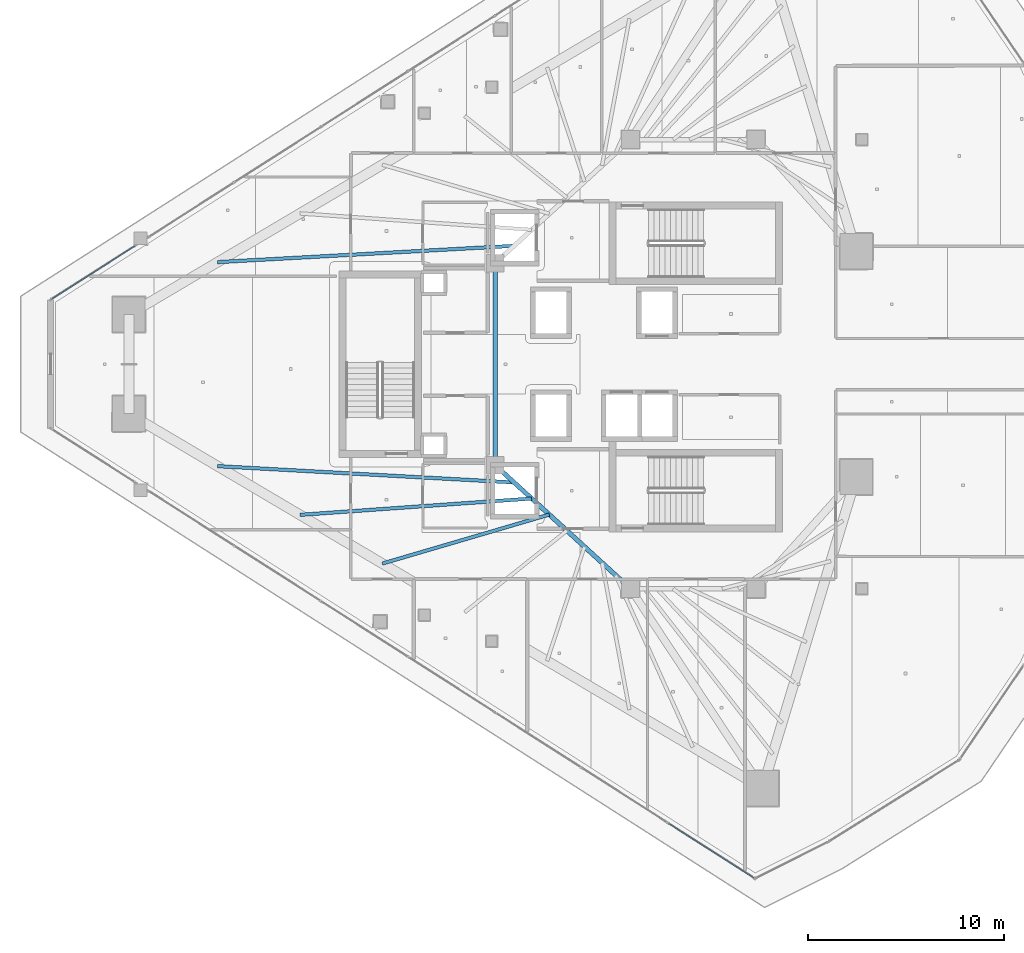
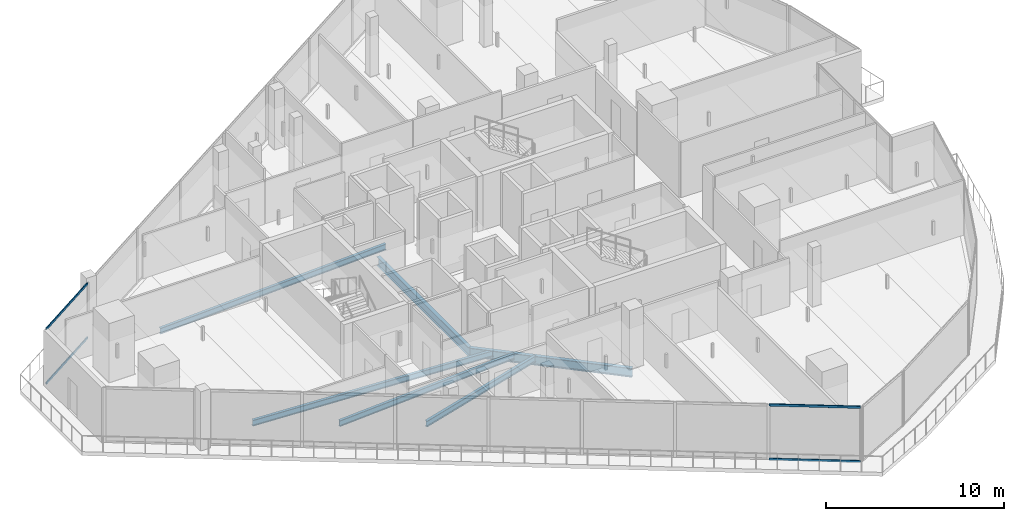
# One storey, part 7 of 33: 6 beams, 4 members, 2 elements without a shape of their own.
"""IFC4 building model written with IfcOpenShell, lengths in metres."""

from ifc_helpers import new_model, si_unit, direction, frame, origin, origin_2d, place, context, subcontext, project, spatial, hollow_rectangle, i_section, extrude, material, layer, layer_set, material_profile, profile_set, type_object, element, aggregate, save


model = new_model("IFC4")

# Units and contexts
model_context = context("Model", 3, precision=1e-05, world=origin(), true_north=direction((0.0, 1.0)))
body_context = subcontext(model_context, "Body", "Model", "MODEL_VIEW")
ifc_project = project(units=[si_unit("LENGTHUNIT", "METRE"), si_unit("AREAUNIT", "SQUARE_METRE"), si_unit("VOLUMEUNIT", "CUBIC_METRE"), si_unit("PLANEANGLEUNIT", "RADIAN"), si_unit("MASSUNIT", "GRAM", prefix="KILO")], contexts=[model_context])

# Site, building, storey
site_placement = place(None, origin())
site = spatial("IfcSite", under=ifc_project, at=site_placement, CompositionType="ELEMENT")
building_placement = place(site_placement, origin())
building = spatial("IfcBuilding", under=site, at=building_placement, Name="Qorvath Tower", CompositionType="ELEMENT")
storey_placement = place(building_placement, frame((0.0, 0.0, 237.449951171875)))
storey = spatial("IfcBuildingStorey", under=building, at=storey_placement, Name="L55", CompositionType="ELEMENT", Elevation=237.449951171875)

# Beams
ifc_material_1 = material(Name="Steel ASTM A992 Grade 50", Category="steel")
ifc_material_profile_1 = material_profile(ifc_material_1, i_section(OverallWidth=0.22998046875, OverallDepth=0.616943359375, WebThickness=0.01318359375, FlangeThickness=0.022216796875, FilletRadius=0.014892578125, at=origin_2d()), Name="W24x94")
ifc_profile_set_1 = profile_set([ifc_material_profile_1], Name="Steel ASTM A992 Grade 50")
beam_type_1 = type_object("IfcBeamType", Name="BM-FG6", PredefinedType="BEAM", material=ifc_profile_set_1)
beam_1_placement = place(storey_placement, frame((-23.60009765625, -11.449951171875, -0.57861328125), z_axis=(-0.73847813985, 0.6742774184, 0.0), x_axis=(-0.6742774184, -0.73847813985, 0.0)))
element("IfcBeam", 1, at=beam_1_placement, inside=storey, type_object=beam_type_1, Name="Core Ring Girder CC4-CC6 L55", PredefinedType="BEAM", context=body_context, shape_type="SweptSolid", body=[
    extrude(i_section(OverallWidth=0.22998046875, OverallDepth=0.616943359375, WebThickness=0.01318359375, FlangeThickness=0.022216796875, FilletRadius=0.014892578125, at=origin_2d()), origin(), (0.0, 0.0, 1.0), 9.343505859375),
])
beam_2_placement = place(storey_placement, frame((-30.5, -5.14990234375, -0.57861328125), z_axis=(0.0, 1.0, 0.0), x_axis=(-1.0, 0.0, 0.0)))
element("IfcBeam", 2, at=beam_2_placement, inside=storey, type_object=beam_type_1, Name="Core Ring Girder CC6-CC5 L55", PredefinedType="BEAM", context=body_context, shape_type="SweptSolid", body=[
    extrude(i_section(OverallWidth=0.22998046875, OverallDepth=0.616943359375, WebThickness=0.01318359375, FlangeThickness=0.022216796875, FilletRadius=0.014892578125, at=origin_2d()), origin(), (0.0, 0.0, 1.0), 10.2998046875),
])
ifc_material_2 = material(Name="Steel ASTM A992 Grade 50", Category="steel")
ifc_material_profile_2 = material_profile(ifc_material_2, i_section(OverallWidth=0.177978515625, OverallDepth=0.406005859375, WebThickness=0.0078125, FlangeThickness=0.0126953125, FilletRadius=0.010986328125, at=origin_2d()), Name="W16x40")
ifc_profile_set_2 = profile_set([ifc_material_profile_2], Name="Steel ASTM A992 Grade 50")
beam_type_2 = type_object("IfcBeamType", Name="BM-FJ3", PredefinedType="JOIST", material=ifc_profile_set_2)
for number, where, z_axis, x_axis, name in (
    (3, (-29.533935546875, 6.031982421875, -0.47314453125), (-0.998494745044, -0.054847462293, 0.0), (0.054847462293, -0.998494745044, 0.0), "Composite Floor Joist NW1 L55"),
    (4, (-29.533935546875, -6.031982421875, -0.47314453125), (-0.998494745044, 0.054847462293, 0.0), (-0.054847462293, -0.998494745044, 0.0), "Composite Floor Joist SW1 L55"),
):
    element("IfcBeam", number, at=place(storey_placement, frame(where, z_axis=z_axis, x_axis=x_axis)), inside=storey, type_object=beam_type_2, Name=name, PredefinedType="JOIST", context=body_context, shape_type="SweptSolid", body=[
        extrude(i_section(OverallWidth=0.177978515625, OverallDepth=0.406005859375, WebThickness=0.0078125, FlangeThickness=0.0126953125, FilletRadius=0.010986328125, at=origin_2d()), origin(), (0.0, 0.0, 1.0), 15.138671875),
    ])
beam_3_placement = place(storey_placement, frame((-28.636962890625, -6.85107421875, -0.47314453125), z_axis=(-0.997520476731, -0.070376832146, 0.0), x_axis=(0.070376832146, -0.997520476731, 0.0)))
element("IfcBeam", 5, at=beam_3_placement, inside=storey, type_object=beam_type_2, Name="Composite Floor Joist SW2 L55", PredefinedType="JOIST", context=body_context, shape_type="SweptSolid", body=[
    extrude(i_section(OverallWidth=0.177978515625, OverallDepth=0.406005859375, WebThickness=0.0078125, FlangeThickness=0.0126953125, FilletRadius=0.010986328125, at=origin_2d()), origin(), (0.0, 0.0, 1.0), 11.84326171875),
])
beam_4_placement = place(storey_placement, frame((-27.739990234375, -7.669921875, -0.47314453125), z_axis=(-0.959544992264, -0.281555337049, 0.0), x_axis=(0.281555337049, -0.959544992264, 0.0)))
element("IfcBeam", 6, at=beam_4_placement, inside=storey, type_object=beam_type_2, Name="Composite Floor Joist SW3 L55", PredefinedType="JOIST", context=body_context, shape_type="SweptSolid", body=[
    extrude(i_section(OverallWidth=0.177978515625, OverallDepth=0.406005859375, WebThickness=0.0078125, FlangeThickness=0.0126953125, FilletRadius=0.010986328125, at=origin_2d()), origin(), (0.0, 0.0, 1.0), 8.87060546875),
])

# Curtain wall, members
ifc_material_3 = material(Name="Anodised aluminium and triple low-E glass", Category="aluminium")
ifc_layer = layer(ifc_material_3, 0.179931640625)
ifc_layer_set = layer_set([ifc_layer], Name="CW-SYS-3")
curtain_wall_type = type_object("IfcCurtainWallType", Name="CW-SYS-3", PredefinedType="NOTDEFINED", material=ifc_layer_set)
curtain_wall_1_placement = place(storey_placement, origin())
curtain_wall_1 = element("IfcCurtainWall", 7, at=curtain_wall_1_placement, inside=storey, type_object=curtain_wall_type, Name="Curtain Wall CW-3 CW-T-L55-2.2", PredefinedType="NOTDEFINED")
ifc_material_4 = material(Name="Anodised aluminium 6063-T6", Category="aluminium")
ifc_material_profile_3 = material_profile(ifc_material_4, hollow_rectangle(XDim=0.06494140625, YDim=0.159912109375, WallThickness=0.00341796875, InnerFilletRadius=0.00341796875, OuterFilletRadius=0.007080078125, at=origin_2d()), Name="CWT 160x65")
ifc_profile_set_3 = profile_set([ifc_material_profile_3], Name="Anodised aluminium 6063-T6")
member_type = type_object("IfcMemberType", Name="CWT-160", PredefinedType="USERDEFINED", material=ifc_profile_set_3)
member_1_placement = place(storey_placement, frame((-21.651123046875, -23.420654296875, 0.032470703125), z_axis=(0.842615597711, -0.538515509985, 0.0), x_axis=(0.538515509985, 0.842615597711, 0.0)))
member_1 = element("IfcMember", 8, at=member_1_placement, type_object=member_type, Name="CW-3 transom 7.1", ObjectType="TRANSOM", PredefinedType="USERDEFINED", context=body_context, shape_type="SweptSolid", body=[
    extrude(hollow_rectangle(XDim=0.06494140625, YDim=0.159912109375, WallThickness=0.00341796875, InnerFilletRadius=0.00341796875, OuterFilletRadius=0.007080078125, at=origin_2d()), origin(), (0.0, 0.0, 1.0), 5.150146484375),
])
member_2_placement = place(storey_placement, frame((-21.651123046875, -23.420654296875, 3.74755859375), z_axis=(0.842615597711, -0.538515509985, 0.0), x_axis=(0.538515509985, 0.842615597711, 0.0)))
member_2 = element("IfcMember", 9, at=member_2_placement, type_object=member_type, Name="CW-3 transom 7.2", ObjectType="TRANSOM", PredefinedType="USERDEFINED", context=body_context, shape_type="SweptSolid", body=[
    extrude(hollow_rectangle(XDim=0.06494140625, YDim=0.159912109375, WallThickness=0.00341796875, InnerFilletRadius=0.00341796875, OuterFilletRadius=0.007080078125, at=origin_2d()), origin(), (0.0, 0.0, 1.0), 5.150146484375),
])
aggregate(curtain_wall_1, [member_1, member_2])

curtain_wall_2_placement = place(storey_placement, origin())
curtain_wall_2 = element("IfcCurtainWall", 10, at=curtain_wall_2_placement, inside=storey, type_object=curtain_wall_type, Name="Curtain Wall CW-3 CW-T-L55-16.2", PredefinedType="NOTDEFINED")
member_3_placement = place(storey_placement, frame((-48.877685546875, 6.019775390625, 0.032470703125), z_axis=(-0.842585405319, -0.538562749124, 0.0), x_axis=(0.538562749124, -0.842585405319, 0.0)))
member_3 = element("IfcMember", 11, at=member_3_placement, type_object=member_type, Name="CW-3 transom 1.1", ObjectType="TRANSOM", PredefinedType="USERDEFINED", context=body_context, shape_type="SweptSolid", body=[
    extrude(hollow_rectangle(XDim=0.06494140625, YDim=0.159912109375, WallThickness=0.00341796875, InnerFilletRadius=0.00341796875, OuterFilletRadius=0.007080078125, at=origin_2d()), origin(), (0.0, 0.0, 1.0), 5.024658203125),
])
member_4_placement = place(storey_placement, frame((-48.877685546875, 6.019775390625, 3.74755859375), z_axis=(-0.842585405319, -0.538562749124, 0.0), x_axis=(0.538562749124, -0.842585405319, 0.0)))
member_4 = element("IfcMember", 12, at=member_4_placement, type_object=member_type, Name="CW-3 transom 1.2", ObjectType="TRANSOM", PredefinedType="USERDEFINED", context=body_context, shape_type="SweptSolid", body=[
    extrude(hollow_rectangle(XDim=0.06494140625, YDim=0.159912109375, WallThickness=0.00341796875, InnerFilletRadius=0.00341796875, OuterFilletRadius=0.007080078125, at=origin_2d()), origin(), (0.0, 0.0, 1.0), 5.024658203125),
])
aggregate(curtain_wall_2, [member_3, member_4])

save(model, "model.ifc")
